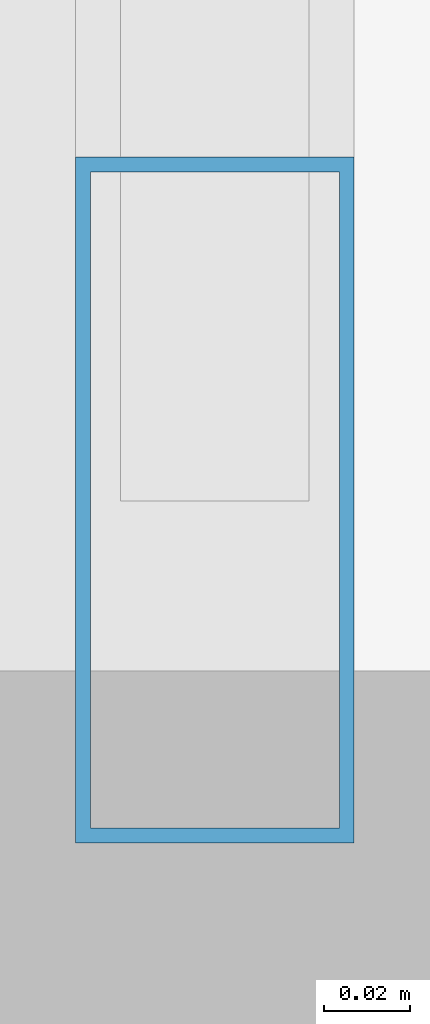
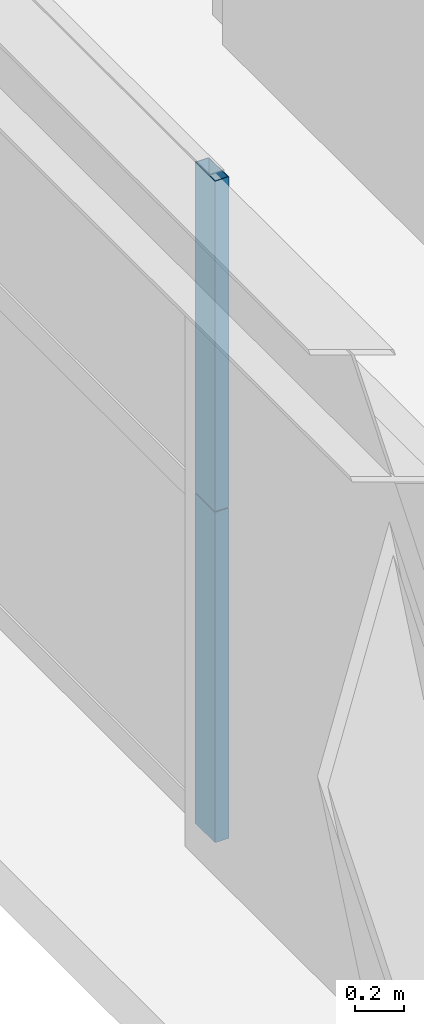
# One storey, part 6 of 35: 2 members, 1 element without a shape of its own.
"""IFC4 building model written with IfcOpenShell, lengths in metres."""

import ifcopenshell
import ifcopenshell.guid

model = None  # the IFC model being written
_history = None  # IfcOwnerHistory: only IFC2X3 demands one
_inside = {}  # id of a spatial element -> (the spatial element, [elements in it])
_under = {}  # id of a project, library or spatial element -> (it, [spatial elements below it])
_declared = {}  # id of a project -> (the project, [libraries it declares])
_typed = {}  # id of a type object -> (the type object, [elements of that type])
_made_of = {}  # id of a material, layer set ... -> (it, [elements and type objects made of it])


def new_model(schema):
    """Start an empty IFC model of exactly this schema.

    Asked for "IFC4X3", IfcOpenShell would pick the latest addendum, in which some entities
    have other attributes; the version numbers below select the first issue.
    IFC2X3 requires an IfcOwnerHistory on every rooted entity: one is made here for all.
    """
    global model, _history
    if schema == "IFC4X3":
        model = ifcopenshell.file(schema_version=(4, 3, 0, 0))
    else:
        model = ifcopenshell.file(schema=schema)
    _inside.clear()
    _under.clear()
    _declared.clear()
    _typed.clear()
    _made_of.clear()
    _history = None
    if model.schema == "IFC2X3":
        org = make("IfcOrganization", Name="unknown")
        user = make(
            "IfcPersonAndOrganization",
            ThePerson=make("IfcPerson", FamilyName="unknown"),
            TheOrganization=org,
        )
        app = make(
            "IfcApplication",
            ApplicationDeveloper=org,
            Version="unknown",
            ApplicationFullName="unknown",
            ApplicationIdentifier="unknown",
        )
        _history = make(
            "IfcOwnerHistory",
            OwningUser=user,
            OwningApplication=app,
            ChangeAction="ADDED",
            CreationDate=0,
        )
    return model


def make(cls, **values):
    """One entity of the class cls with the attributes given. An attribute that is None is left unset."""
    return model.create_entity(
        cls, **{name: value for name, value in values.items() if value is not None}
    )


def rooted(cls, **values):
    """An entity with a GlobalId (a new one), such as an element, a storey or a relation."""
    return make(cls, GlobalId=ifcopenshell.guid.new(), OwnerHistory=_history, **values)


def si_unit(unit_type, name, prefix=None):
    """IfcSIUnit, for example si_unit("LENGTHUNIT", "METRE", prefix="MILLI")."""
    return make("IfcSIUnit", UnitType=unit_type, Prefix=prefix, Name=name)


def assignment(units):
    """IfcUnitAssignment: the units of a project."""
    return None if units is None else make("IfcUnitAssignment", Units=units)


def point(xyz):
    """IfcCartesianPoint."""
    return None if xyz is None else make("IfcCartesianPoint", Coordinates=xyz)


def direction(xyz):
    """IfcDirection."""
    return None if xyz is None else make("IfcDirection", DirectionRatios=xyz)


def frame(location, z_axis=None, x_axis=None):
    """IfcAxis2Placement3D, a coordinate frame: its origin and axes. An axis left out is left unset."""
    return make(
        "IfcAxis2Placement3D",
        Location=point(location),
        Axis=direction(z_axis),
        RefDirection=direction(x_axis),
    )


def frame_2d(location, x_axis=None):
    """IfcAxis2Placement2D, a coordinate frame in the plane: its origin and x axis."""
    return make(
        "IfcAxis2Placement2D", Location=point(location), RefDirection=direction(x_axis)
    )


def origin():
    """The frame at (0, 0, 0) with its axes left unset."""
    return frame((0.0, 0.0, 0.0))


def origin_2d():
    """The frame at (0, 0) in the plane with its x axis left unset."""
    return frame_2d((0.0, 0.0))


def place(relative_to, where):
    """IfcLocalPlacement: puts the frame where relative to a parent placement (None: the world)."""
    return make(
        "IfcLocalPlacement", PlacementRelTo=relative_to, RelativePlacement=where
    )


def context(
    kind, dimensions, precision=None, world=None, true_north=None, identifier=None
):
    """IfcGeometricRepresentationContext, for example the 3D "Model" context."""
    return make(
        "IfcGeometricRepresentationContext",
        ContextIdentifier=identifier,
        ContextType=kind,
        CoordinateSpaceDimension=dimensions,
        Precision=precision,
        WorldCoordinateSystem=world,
        TrueNorth=true_north,
    )


def subcontext(parent, identifier, kind, view, scale=None):
    """IfcGeometricRepresentationSubContext, for example "Body" below "Model"."""
    return make(
        "IfcGeometricRepresentationSubContext",
        ContextIdentifier=identifier,
        ContextType=kind,
        ParentContext=parent,
        TargetScale=scale,
        TargetView=view,
    )


def project(units=None, contexts=None):
    """IfcProject with its units and contexts."""
    return rooted(
        "IfcProject",
        Name="project",
        RepresentationContexts=contexts,
        UnitsInContext=assignment(units),
    )


def spatial(cls, under=None, at=None, **own):
    """A site, building, storey or space (cls), placed at a placement, below another one or the project."""
    s = rooted(cls, ObjectPlacement=at, **own)
    if under is not None:
        _under.setdefault(under.id(), (under, []))[1].append(s)
    return s


def profile(cls, at=None, kind="AREA", **sizes):
    """A parametric profile (cls). Its sizes go by their IFC names, for example OverallWidth=200.0."""
    return make(cls, ProfileType=kind, Position=at, **sizes)


def hollow_rectangle(**sizes):
    """IfcRectangleHollowProfileDef."""
    return profile("IfcRectangleHollowProfileDef", **sizes)


def extrude(swept, where, along, depth):
    """IfcExtrudedAreaSolid: the profile swept, set in the frame where, extruded along a direction by depth."""
    return make(
        "IfcExtrudedAreaSolid",
        SweptArea=swept,
        Position=where,
        ExtrudedDirection=direction(along),
        Depth=depth,
    )


def shape(context_of_items, identifier, shape_type, items):
    """IfcShapeRepresentation: the items that make up one representation, for example the "Body"."""
    return make(
        "IfcShapeRepresentation",
        ContextOfItems=context_of_items,
        RepresentationIdentifier=identifier,
        RepresentationType=shape_type,
        Items=items,
    )


def source(mapping_origin, context_of_items, identifier, shape_type, items):
    """IfcRepresentationMap: a shape defined once, which mapped items show again and again."""
    return make(
        "IfcRepresentationMap",
        MappingOrigin=mapping_origin,
        MappedRepresentation=shape(context_of_items, identifier, shape_type, items),
    )


def transform(
    local_origin,
    x_axis=None,
    y_axis=None,
    z_axis=None,
    scale=None,
    scale2=None,
    scale3=None,
    uniform=True,
):
    """IfcCartesianTransformationOperator3D, or its non-uniform kind. x_axis, y_axis, z_axis: its Axis1, 2, 3."""
    if uniform:
        return make(
            "IfcCartesianTransformationOperator3D",
            Axis1=direction(x_axis),
            Axis2=direction(y_axis),
            LocalOrigin=point(local_origin),
            Scale=scale,
            Axis3=direction(z_axis),
        )
    return make(
        "IfcCartesianTransformationOperator3DnonUniform",
        Axis1=direction(x_axis),
        Axis2=direction(y_axis),
        LocalOrigin=point(local_origin),
        Scale=scale,
        Axis3=direction(z_axis),
        Scale2=scale2,
        Scale3=scale3,
    )


def mapped(mapping_source, mapping_target):
    """IfcMappedItem: shows the shape of a source again, moved by a transform."""
    return make(
        "IfcMappedItem", MappingSource=mapping_source, MappingTarget=mapping_target
    )


def material(Name=None, Category=None):
    """IfcMaterial."""
    return make("IfcMaterial", Name=Name, Category=Category)


def layer(
    of_material, thickness, ventilated=None, Name=None, Category=None, Priority=None
):
    """IfcMaterialLayer: one layer of a wall or slab, of a material (None: an air gap)."""
    return make(
        "IfcMaterialLayer",
        Material=of_material,
        LayerThickness=thickness,
        IsVentilated=ventilated,
        Name=Name,
        Category=Category,
        Priority=Priority,
    )


def layer_set(layers, Name=None):
    """IfcMaterialLayerSet."""
    return make("IfcMaterialLayerSet", MaterialLayers=layers, LayerSetName=Name)


def material_profile(
    of_material, cross_section, Name=None, Category=None, Priority=None
):
    """IfcMaterialProfile: a cross section and its material."""
    return make(
        "IfcMaterialProfile",
        Name=Name,
        Material=of_material,
        Profile=cross_section,
        Priority=Priority,
        Category=Category,
    )


def profile_set(profiles, Name=None, composite=None):
    """IfcMaterialProfileSet."""
    return make(
        "IfcMaterialProfileSet",
        Name=Name,
        MaterialProfiles=profiles,
        CompositeProfile=composite,
    )


def made_of(thing, what):
    """Note that an element or type object is made of a material, layer set ...; save() writes the relation."""
    if what is not None:
        _made_of.setdefault(what.id(), (what, []))[1].append(thing)
    return thing


def type_object(cls, material=None, **own):
    """A type object (cls), such as IfcWallType, which elements share."""
    return made_of(rooted(cls, **own), material)


def element(
    cls,
    number,
    at=None,
    inside=None,
    cuts=None,
    type_object=None,
    material=None,
    context=None,
    identifier="Body",
    shape_type=None,
    held_by="IfcProductDefinitionShape",
    body=None,
    shapes=None,
    **own,
):
    """One element of the class cls, such as IfcWall. Its Tag is "e" and its number.

    at: its placement. inside: the storey or other place that contains it. cuts: it is an
    opening in that element (IfcRelVoidsElement). A single representation is given by context,
    identifier, shape_type and body (its items); several are given by shapes. held_by: the class
    of the entity that holds the representations. save() writes the other relations.
    """
    e = rooted(cls, Tag="e%d" % number, ObjectPlacement=at, **own)
    if body is not None:
        shapes = [shape(context, identifier, shape_type, body)]
    if shapes is not None:
        e.Representation = make(held_by, Representations=shapes)
    if inside is not None:
        _inside.setdefault(inside.id(), (inside, []))[1].append(e)
    if cuts is not None:
        rooted(
            "IfcRelVoidsElement", RelatingBuildingElement=cuts, RelatedOpeningElement=e
        )
    if type_object is not None:
        _typed.setdefault(type_object.id(), (type_object, []))[1].append(e)
    return made_of(e, material)


def aggregate(whole, parts):
    """IfcRelAggregates: a whole, such as a stair, and the parts it consists of."""
    return rooted("IfcRelAggregates", RelatingObject=whole, RelatedObjects=parts)


def save(model, path):
    """Write the relations noted so far, then the file.

    IfcRelAggregates (storeys below a building ...), IfcRelContainedInSpatialStructure (elements
    in a storey), IfcRelDefinesByType, IfcRelAssociatesMaterial and IfcRelDeclares: one each for
    every whole, place, type object, material and project.
    """
    for whole, parts in _under.values():
        aggregate(whole, parts)
    for where, things in _inside.values():
        rooted(
            "IfcRelContainedInSpatialStructure",
            RelatedElements=things,
            RelatingStructure=where,
        )
    for kind, things in _typed.values():
        rooted("IfcRelDefinesByType", RelatedObjects=things, RelatingType=kind)
    for what, things in _made_of.values():
        rooted("IfcRelAssociatesMaterial", RelatedObjects=things, RelatingMaterial=what)
    for by, libraries in _declared.values():
        rooted("IfcRelDeclares", RelatingContext=by, RelatedDefinitions=libraries)
    model.write(path)


model = new_model("IFC4")

# Units and contexts
model_context = context("Model", 3, precision=1e-05, world=origin(), true_north=direction((0.0, 1.0)))
body_context = subcontext(model_context, "Body", "Model", "MODEL_VIEW")
ifc_project = project(units=[si_unit("LENGTHUNIT", "METRE"), si_unit("AREAUNIT", "SQUARE_METRE"), si_unit("VOLUMEUNIT", "CUBIC_METRE"), si_unit("PLANEANGLEUNIT", "RADIAN"), si_unit("MASSUNIT", "GRAM", prefix="KILO"), si_unit("THERMODYNAMICTEMPERATUREUNIT", "KELVIN"), si_unit("POWERUNIT", "WATT")], contexts=[model_context])

# Site, building, storey
site_placement = place(None, origin())
site = spatial("IfcSite", under=ifc_project, at=site_placement, CompositionType="ELEMENT")
building_placement = place(site_placement, origin())
building = spatial("IfcBuilding", under=site, at=building_placement, Name="Yuzanri Waterfront Tower", CompositionType="ELEMENT")
storey_placement = place(building_placement, frame((0.0, 0.0, 271.60009765625)))
storey = spatial("IfcBuildingStorey", under=building, at=storey_placement, Name="L72", CompositionType="ELEMENT", Elevation=271.60009765625)

# Curtain wall, members
ifc_material_1 = material(Name="Anodized Architectural Bronze", Category="metal")
ifc_layer = layer(ifc_material_1, 0.159912109375)
ifc_layer_set = layer_set([ifc_layer], Name="Anodized Architectural Bronze")
curtain_wall_type = type_object("IfcCurtainWallType", Name="Anodized Bronze Mid-Rise Residential Acoustic Unitized Curtain Wall 7200", PredefinedType="NOTDEFINED", material=ifc_layer_set)
curtain_wall_placement = place(storey_placement, origin())
curtain_wall = element("IfcCurtainWall", 1, at=curtain_wall_placement, inside=storey, type_object=curtain_wall_type, Name="L72 Curtain Wall CW-L72-WL", PredefinedType="NOTDEFINED")
ifc_material_2 = material(Name="Anodized Architectural Bronze", Category="metal")
ifc_material_profile = material_profile(ifc_material_2, hollow_rectangle(XDim=0.06494140625, YDim=0.159912109375, WallThickness=0.00341796875, at=origin_2d()), Name="CWM 65x160")
ifc_profile_set = profile_set([ifc_material_profile], Name="Anodized Architectural Bronze")
member_type = type_object("IfcMemberType", Name="Anodized Bronze Upper-Zone Curtain-Wall Mullion 65x160", PredefinedType="MULLION", material=ifc_profile_set)
shared_shape = source(origin(), body_context, "Body", "SweptSolid", [
    extrude(hollow_rectangle(XDim=0.06494140625, YDim=0.159912109375, WallThickness=0.00341796875, at=origin_2d()), origin(), (0.0, 0.0, 1.0), 1.637939453125),
])
member_1_placement = place(storey_placement, frame((16.550048828125, 12.590087890625, 0.0), z_axis=(0.0, 0.0, 1.0), x_axis=(1.0, 0.0, 0.0)))
member_1 = element("IfcMember", 2, at=member_1_placement, type_object=member_type, Name="CW-L72-WL Lower Mullion 00", PredefinedType="MULLION", context=body_context, shape_type="MappedRepresentation", body=[
    mapped(shared_shape, transform((0.0, 0.0, 0.0), scale=1.0)),
])
member_2_placement = place(storey_placement, frame((16.550048828125, 12.590087890625, 1.641845703125), z_axis=(0.0, 0.0, 1.0), x_axis=(1.0, 0.0, 0.0)))
member_2 = element("IfcMember", 3, at=member_2_placement, type_object=member_type, Name="CW-L72-WL Upper Mullion 00", PredefinedType="MULLION", context=body_context, shape_type="MappedRepresentation", body=[
    mapped(shared_shape, transform((0.0, 0.0, 0.0), scale=1.0)),
])
aggregate(curtain_wall, [member_1, member_2])

save(model, "model.ifc")
